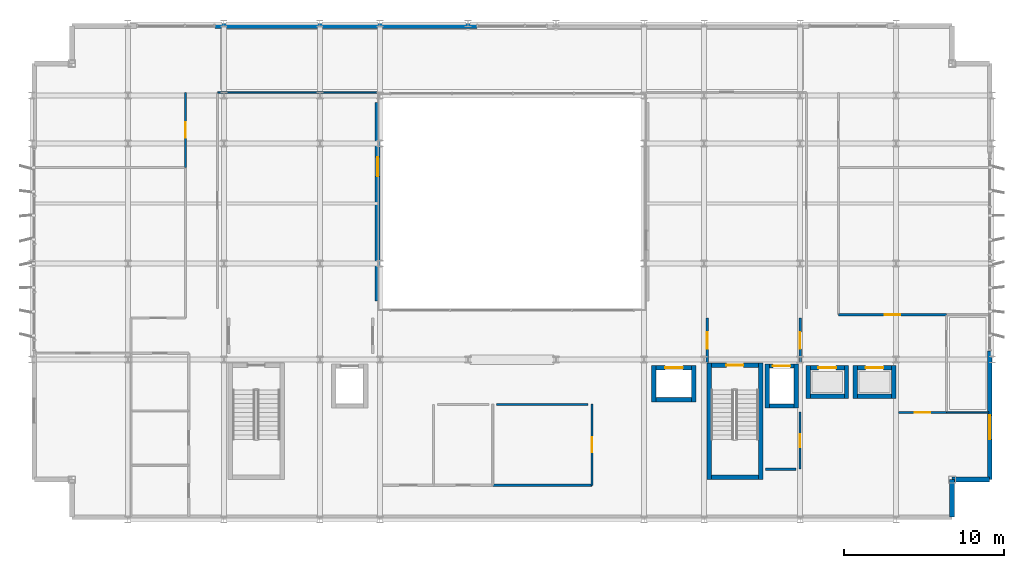
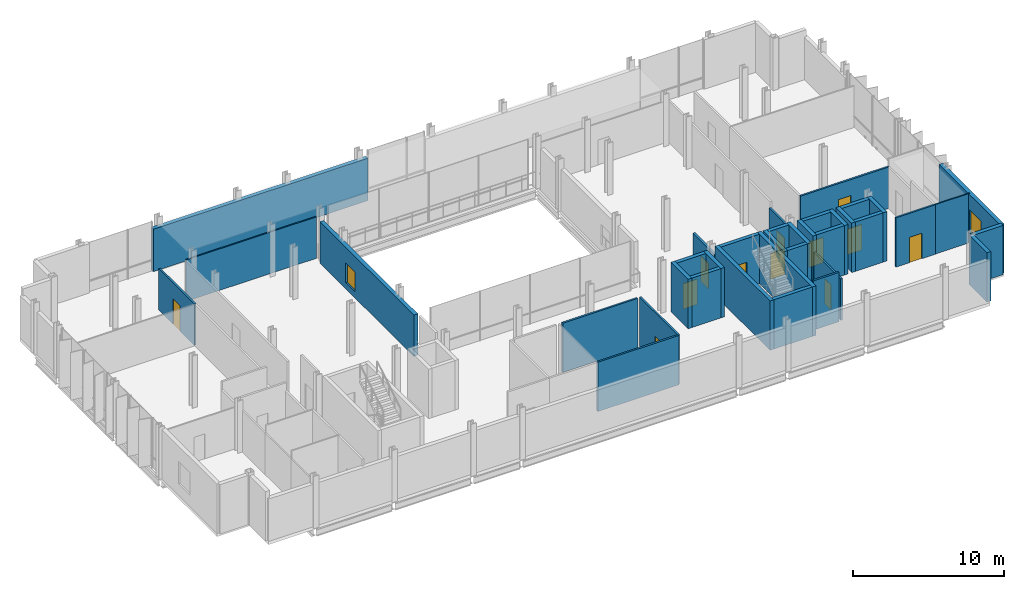
# One storey, part 25 of 32: 37 walls, 12 doors, 2 windows, 14 openings.
"""IFC4 building model written with IfcOpenShell, lengths in metres."""

from ifc_helpers import new_model, si_unit, direction, frame, frame_2d, origin, place, context, subcontext, project, spatial, rectangle, extrude, material, layer, layer_set, type_object, element, fill, save


model = new_model("IFC4")

# Units and contexts
model_context = context("Model", 3, precision=1e-05, world=origin(), true_north=direction((0.0, 1.0)))
body_context = subcontext(model_context, "Body", "Model", "MODEL_VIEW")
ifc_project = project(units=[si_unit("LENGTHUNIT", "METRE"), si_unit("AREAUNIT", "SQUARE_METRE"), si_unit("VOLUMEUNIT", "CUBIC_METRE"), si_unit("PLANEANGLEUNIT", "RADIAN"), si_unit("MASSUNIT", "GRAM", prefix="KILO")], contexts=[model_context])

# Site, building, storey
site_placement = place(None, origin())
site = spatial("IfcSite", under=ifc_project, at=site_placement, CompositionType="ELEMENT")
building_placement = place(site_placement, origin())
building = spatial("IfcBuilding", under=site, at=building_placement, Name="Brevholm Reach", CompositionType="ELEMENT")
storey_placement = place(building_placement, frame((0.0, 0.0, 134.5)))
storey = spatial("IfcBuildingStorey", under=building, at=storey_placement, Name="L40", CompositionType="ELEMENT", Elevation=134.5)

# Walls
ifc_material_1 = material(Name="Concrete C50/60", Category="concrete")
ifc_layer_1 = layer(ifc_material_1, 0.280029296875)
ifc_layer_set_1 = layer_set([ifc_layer_1], Name="Concrete C50/60")
wall_type_1 = type_object("IfcWallType", Name="WAL-COR-280", PredefinedType="SHEAR", material=ifc_layer_set_1)
for number, where, z_axis, x_axis, name in (
    (1, (42.31005859375, 2.5, 0.0), (0.0, 0.0, 1.0), (0.0, 1.0, 0.0), "L40 Escape Stair ST-2 Core Wall W"),
    (2, (45.5400390625, 2.5, 0.0), (0.0, 0.0, 1.0), (0.0, 1.0, 0.0), "L40 Escape Stair ST-2 Core Wall E"),
):
    element("IfcWall", number, at=place(storey_placement, frame(where, z_axis=z_axis, x_axis=x_axis)), inside=storey, type_object=wall_type_1, Name=name, PredefinedType="SHEAR", context=body_context, shape_type="SweptSolid", body=[
        extrude(rectangle(XDim=7.280029296875, YDim=0.280029296875, at=frame_2d((3.64013671875, 0.0))), origin(), (0.0, 0.0, 1.0), 3.97998046875),
    ])
wall_1_placement = place(storey_placement, frame((42.449951171875, 2.639892578125, 0.0), z_axis=(0.0, 0.0, 1.0), x_axis=(1.0, 0.0, 0.0)))
element("IfcWall", 3, at=wall_1_placement, inside=storey, type_object=wall_type_1, Name="L40 Escape Stair ST-2 Core Wall S", PredefinedType="SHEAR", context=body_context, shape_type="SweptSolid", body=[
    extrude(rectangle(XDim=2.949951171875, YDim=0.280029296875, at=frame_2d((1.47509765625, 0.0))), origin(), (0.0, 0.0, 1.0), 3.97998046875),
])

# Wall, opening, door
wall_2_placement = place(storey_placement, frame((45.39990234375, 9.639892578125, 0.0), z_axis=(0.0, 0.0, 1.0), x_axis=(-1.0, 0.0, 0.0)))
wall_2 = element("IfcWall", 4, at=wall_2_placement, inside=storey, type_object=wall_type_1, Name="L40 Escape Stair ST-2 Core Wall N", PredefinedType="SHEAR", context=body_context, shape_type="SweptSolid", body=[
    extrude(rectangle(XDim=2.949951171875, YDim=0.280029296875, at=frame_2d((1.47509765625, 0.0))), origin(), (0.0, 0.0, 1.0), 3.97998046875),
])
opening_1_placement = place(wall_2_placement, frame((0.949951171875, 0.0, 0.0)))
opening_1 = element("IfcOpeningElement", 5, at=opening_1_placement, cuts=wall_2, Name="Opening SD-ST-2", PredefinedType="OPENING", context=body_context, shape_type="SweptSolid", body=[
    extrude(rectangle(XDim=1.050048828125, YDim=2.06005859375, at=frame_2d((0.52490234375, 1.030029296875))), frame((0.0, 0.14990234375, 0.0), z_axis=(0.0, -1.0, 0.0), x_axis=(1.0, 0.0, 0.0)), (0.0, 0.0, 1.0), 0.300048828125),
])
ifc_material_2 = material(Name="Hardwood-Lipped Steel-Core Fire and Smoke Door", Category="steel")
door_type_1 = type_object("IfcDoorType", Name="DOR-INT-FD60S", OperationType="NOTDEFINED", PredefinedType="DOOR", material=ifc_material_2)
door_1_placement = place(opening_1_placement, origin())
door_1 = element("IfcDoor", 6, at=door_1_placement, inside=storey, type_object=door_type_1, Name="L40 Protected Stair ST-2 Lobby Door", OperationType="SINGLE_SWING_LEFT", OverallHeight=2.06005859375, OverallWidth=1.050048828125, PredefinedType="DOOR", context=body_context, shape_type="SweptSolid", body=[
    extrude(rectangle(XDim=1.050048828125, YDim=2.06005859375, at=frame_2d((0.52490234375, 1.030029296875))), frame((0.0, 0.02490234375, 0.0), z_axis=(0.0, -1.0, 0.0), x_axis=(1.0, 0.0, 0.0)), (0.0, 0.0, 1.0), 0.050048828125),
])
fill(opening_1, door_1)

# Walls
for number, where, z_axis, x_axis, name in (
    (7, (45.949951171875, 6.9599609375, 0.0), (0.0, 0.0, 1.0), (0.0, 1.0, 0.0), "L40 Lift FFL-2 Shaft Wall W"),
    (8, (47.75, 6.9599609375, 0.0), (0.0, 0.0, 1.0), (0.0, 1.0, 0.0), "L40 Lift FFL-2 Shaft Wall E"),
):
    element("IfcWall", number, at=place(storey_placement, frame(where, z_axis=z_axis, x_axis=x_axis)), inside=storey, type_object=wall_type_1, Name=name, PredefinedType="SHEAR", context=body_context, shape_type="SweptSolid", body=[
        extrude(rectangle(XDim=2.780029296875, YDim=0.280029296875, at=frame_2d((1.39013671875, 0.0))), origin(), (0.0, 0.0, 1.0), 3.97998046875),
    ])
wall_3_placement = place(storey_placement, frame((46.090087890625, 7.10009765625, 0.0), z_axis=(0.0, 0.0, 1.0), x_axis=(1.0, 0.0, 0.0)))
element("IfcWall", 9, at=wall_3_placement, inside=storey, type_object=wall_type_1, Name="L40 Lift FFL-2 Shaft Wall S", PredefinedType="SHEAR", context=body_context, shape_type="SweptSolid", body=[
    extrude(rectangle(XDim=1.52001953125, YDim=0.280029296875, at=frame_2d((0.760009765625, 0.0))), origin(), (0.0, 0.0, 1.0), 3.97998046875),
])

# Wall, opening, door
wall_4_placement = place(storey_placement, frame((46.090087890625, 9.60009765625, 0.0), z_axis=(0.0, 0.0, 1.0), x_axis=(1.0, 0.0, 0.0)))
wall_4 = element("IfcWall", 10, at=wall_4_placement, inside=storey, type_object=wall_type_1, Name="L40 Lift FFL-2 Shaft Wall N", PredefinedType="SHEAR", context=body_context, shape_type="SweptSolid", body=[
    extrude(rectangle(XDim=1.52001953125, YDim=0.280029296875, at=frame_2d((0.760009765625, 0.0))), origin(), (0.0, 0.0, 1.0), 3.97998046875),
])
opening_2_placement = place(wall_4_placement, frame((0.2099609375, 0.0, 0.0)))
opening_2 = element("IfcOpeningElement", 11, at=opening_2_placement, cuts=wall_4, Name="Opening LD-FFL-2", PredefinedType="OPENING", context=body_context, shape_type="SweptSolid", body=[
    extrude(rectangle(XDim=1.10009765625, YDim=2.06005859375, at=frame_2d((0.550048828125, 1.030029296875))), frame((0.0, 0.14990234375, 0.0), z_axis=(0.0, -1.0, 0.0), x_axis=(1.0, 0.0, 0.0)), (0.0, 0.0, 1.0), 0.300048828125),
])
ifc_material_3 = material(Name="Brushed Stainless Steel Fire-Rated Sliding Lift Door", Category="steel")
door_type_2 = type_object("IfcDoorType", Name="DOR-LFT-1100", OperationType="NOTDEFINED", PredefinedType="DOOR", material=ifc_material_3)
door_2_placement = place(opening_2_placement, origin())
door_2 = element("IfcDoor", 12, at=door_2_placement, inside=storey, type_object=door_type_2, Name="L40 Lift FFL-2 Sliding Landing Door", OperationType="SLIDING_TO_LEFT", OverallHeight=2.06005859375, OverallWidth=1.10009765625, PredefinedType="DOOR", context=body_context, shape_type="SweptSolid", body=[
    extrude(rectangle(XDim=1.10009765625, YDim=2.06005859375, at=frame_2d((0.550048828125, 1.030029296875))), frame((0.0, 0.02490234375, 0.0), z_axis=(0.0, -1.0, 0.0), x_axis=(1.0, 0.0, 0.0)), (0.0, 0.0, 1.0), 0.050048828125),
])
fill(opening_2, door_2)

# Walls
for number, where, z_axis, x_axis, name in (
    (13, (38.8701171875, 7.360107421875, 0.0), (0.0, 0.0, 1.0), (0.0, 1.0, 0.0), "L40 Lift PL-S1 Shaft Wall W"),
    (14, (41.3701171875, 7.360107421875, 0.0), (0.0, 0.0, 1.0), (0.0, 1.0, 0.0), "L40 Lift PL-S1 Shaft Wall E"),
):
    element("IfcWall", number, at=place(storey_placement, frame(where, z_axis=z_axis, x_axis=x_axis)), inside=storey, type_object=wall_type_1, Name=name, PredefinedType="SHEAR", context=body_context, shape_type="SweptSolid", body=[
        extrude(rectangle(XDim=2.27978515625, YDim=0.280029296875, at=frame_2d((1.139892578125, 0.0))), origin(), (0.0, 0.0, 1.0), 3.97998046875),
    ])
wall_5_placement = place(storey_placement, frame((39.010009765625, 7.5, 0.0), z_axis=(0.0, 0.0, 1.0), x_axis=(1.0, 0.0, 0.0)))
element("IfcWall", 15, at=wall_5_placement, inside=storey, type_object=wall_type_1, Name="L40 Lift PL-S1 Shaft Wall S", PredefinedType="SHEAR", context=body_context, shape_type="SweptSolid", body=[
    extrude(rectangle(XDim=2.219970703125, YDim=0.280029296875, at=frame_2d((1.10986328125, 0.0))), origin(), (0.0, 0.0, 1.0), 3.97998046875),
])

# Wall, opening, door
wall_6_placement = place(storey_placement, frame((39.010009765625, 9.5, 0.0), z_axis=(0.0, 0.0, 1.0), x_axis=(1.0, 0.0, 0.0)))
wall_6 = element("IfcWall", 16, at=wall_6_placement, inside=storey, type_object=wall_type_1, Name="L40 Lift PL-S1 Shaft Wall N", PredefinedType="SHEAR", context=body_context, shape_type="SweptSolid", body=[
    extrude(rectangle(XDim=2.219970703125, YDim=0.280029296875, at=frame_2d((1.10986328125, 0.0))), origin(), (0.0, 0.0, 1.0), 3.97998046875),
])
opening_3_placement = place(wall_6_placement, frame((0.56005859375, 0.0, 0.0)))
opening_3 = element("IfcOpeningElement", 17, at=opening_3_placement, cuts=wall_6, Name="Opening LD-PL-S1", PredefinedType="OPENING", context=body_context, shape_type="SweptSolid", body=[
    extrude(rectangle(XDim=1.10009765625, YDim=2.06005859375, at=frame_2d((0.550048828125, 1.030029296875))), frame((0.0, 0.14990234375, 0.0), z_axis=(0.0, -1.0, 0.0), x_axis=(1.0, 0.0, 0.0)), (0.0, 0.0, 1.0), 0.300048828125),
])
door_3_placement = place(opening_3_placement, origin())
door_3 = element("IfcDoor", 18, at=door_3_placement, inside=storey, type_object=door_type_2, Name="L40 Lift PL-S1 Sliding Landing Door", OperationType="SLIDING_TO_RIGHT", OverallHeight=2.06005859375, OverallWidth=1.10009765625, PredefinedType="DOOR", context=body_context, shape_type="SweptSolid", body=[
    extrude(rectangle(XDim=1.10009765625, YDim=2.06005859375, at=frame_2d((0.550048828125, 1.030029296875))), frame((0.0, 0.02490234375, 0.0), z_axis=(0.0, -1.0, 0.0), x_axis=(1.0, 0.0, 0.0)), (0.0, 0.0, 1.0), 0.050048828125),
])
fill(opening_3, door_3)

# Walls
for number, where, z_axis, x_axis, name in (
    (19, (48.5, 7.56005859375, 0.0), (0.0, 0.0, 1.0), (0.0, 1.0, 0.0), "L40 Lift PL-H1 Shaft Wall W"),
    (20, (50.89990234375, 7.56005859375, 0.0), (0.0, 0.0, 1.0), (0.0, 1.0, 0.0), "L40 Lift PL-H1 Shaft Wall E"),
):
    element("IfcWall", number, at=place(storey_placement, frame(where, z_axis=z_axis, x_axis=x_axis)), inside=storey, type_object=wall_type_1, Name=name, PredefinedType="SHEAR", context=body_context, shape_type="SweptSolid", body=[
        extrude(rectangle(XDim=2.079833984375, YDim=0.280029296875, at=frame_2d((1.0400390625, 0.0))), origin(), (0.0, 0.0, 1.0), 3.97998046875),
    ])
wall_7_placement = place(storey_placement, frame((48.639892578125, 7.699951171875, 0.0), z_axis=(0.0, 0.0, 1.0), x_axis=(1.0, 0.0, 0.0)))
element("IfcWall", 21, at=wall_7_placement, inside=storey, type_object=wall_type_1, Name="L40 Lift PL-H1 Shaft Wall S", PredefinedType="SHEAR", context=body_context, shape_type="SweptSolid", body=[
    extrude(rectangle(XDim=2.1201171875, YDim=0.280029296875, at=frame_2d((1.06005859375, 0.0))), origin(), (0.0, 0.0, 1.0), 3.97998046875),
])

# Wall, opening, door
wall_8_placement = place(storey_placement, frame((48.639892578125, 9.5, 0.0), z_axis=(0.0, 0.0, 1.0), x_axis=(1.0, 0.0, 0.0)))
wall_8 = element("IfcWall", 22, at=wall_8_placement, inside=storey, type_object=wall_type_1, Name="L40 Lift PL-H1 Shaft Wall N", PredefinedType="SHEAR", context=body_context, shape_type="SweptSolid", body=[
    extrude(rectangle(XDim=2.1201171875, YDim=0.280029296875, at=frame_2d((1.06005859375, 0.0))), origin(), (0.0, 0.0, 1.0), 3.97998046875),
])
opening_4_placement = place(wall_8_placement, frame((0.510009765625, 0.0, 0.0)))
opening_4 = element("IfcOpeningElement", 23, at=opening_4_placement, cuts=wall_8, Name="Opening LD-PL-H1", PredefinedType="OPENING", context=body_context, shape_type="SweptSolid", body=[
    extrude(rectangle(XDim=1.10009765625, YDim=2.06005859375, at=frame_2d((0.550048828125, 1.030029296875))), frame((0.0, 0.14990234375, 0.0), z_axis=(0.0, -1.0, 0.0), x_axis=(1.0, 0.0, 0.0)), (0.0, 0.0, 1.0), 0.300048828125),
])
door_4_placement = place(opening_4_placement, origin())
door_4 = element("IfcDoor", 24, at=door_4_placement, inside=storey, type_object=door_type_2, Name="L40 Lift PL-H1 Sliding Landing Door", OperationType="SLIDING_TO_LEFT", OverallHeight=2.06005859375, OverallWidth=1.10009765625, PredefinedType="DOOR", context=body_context, shape_type="SweptSolid", body=[
    extrude(rectangle(XDim=1.10009765625, YDim=2.06005859375, at=frame_2d((0.550048828125, 1.030029296875))), frame((0.0, 0.02490234375, 0.0), z_axis=(0.0, -1.0, 0.0), x_axis=(1.0, 0.0, 0.0)), (0.0, 0.0, 1.0), 0.050048828125),
])
fill(opening_4, door_4)

# Walls
for number, where, z_axis, x_axis, name in (
    (25, (51.449951171875, 7.56005859375, 0.0), (0.0, 0.0, 1.0), (0.0, 1.0, 0.0), "L40 Lift PL-H2 Shaft Wall W"),
    (26, (53.85009765625, 7.56005859375, 0.0), (0.0, 0.0, 1.0), (0.0, 1.0, 0.0), "L40 Lift PL-H2 Shaft Wall E"),
):
    element("IfcWall", number, at=place(storey_placement, frame(where, z_axis=z_axis, x_axis=x_axis)), inside=storey, type_object=wall_type_1, Name=name, PredefinedType="SHEAR", context=body_context, shape_type="SweptSolid", body=[
        extrude(rectangle(XDim=2.079833984375, YDim=0.280029296875, at=frame_2d((1.0400390625, 0.0))), origin(), (0.0, 0.0, 1.0), 3.97998046875),
    ])
wall_9_placement = place(storey_placement, frame((51.590087890625, 7.699951171875, 0.0), z_axis=(0.0, 0.0, 1.0), x_axis=(1.0, 0.0, 0.0)))
element("IfcWall", 27, at=wall_9_placement, inside=storey, type_object=wall_type_1, Name="L40 Lift PL-H2 Shaft Wall S", PredefinedType="SHEAR", context=body_context, shape_type="SweptSolid", body=[
    extrude(rectangle(XDim=2.119873046875, YDim=0.280029296875, at=frame_2d((1.06005859375, 0.0))), origin(), (0.0, 0.0, 1.0), 3.97998046875),
])

# Wall, opening, door
wall_10_placement = place(storey_placement, frame((51.590087890625, 9.5, 0.0), z_axis=(0.0, 0.0, 1.0), x_axis=(1.0, 0.0, 0.0)))
wall_10 = element("IfcWall", 28, at=wall_10_placement, inside=storey, type_object=wall_type_1, Name="L40 Lift PL-H2 Shaft Wall N", PredefinedType="SHEAR", context=body_context, shape_type="SweptSolid", body=[
    extrude(rectangle(XDim=2.119873046875, YDim=0.280029296875, at=frame_2d((1.06005859375, 0.0))), origin(), (0.0, 0.0, 1.0), 3.97998046875),
])
opening_5_placement = place(wall_10_placement, frame((0.510009765625, 0.0, 0.0)))
opening_5 = element("IfcOpeningElement", 29, at=opening_5_placement, cuts=wall_10, Name="Opening LD-PL-H2", PredefinedType="OPENING", context=body_context, shape_type="SweptSolid", body=[
    extrude(rectangle(XDim=1.10009765625, YDim=2.06005859375, at=frame_2d((0.550048828125, 1.030029296875))), frame((0.0, 0.14990234375, 0.0), z_axis=(0.0, -1.0, 0.0), x_axis=(1.0, 0.0, 0.0)), (0.0, 0.0, 1.0), 0.300048828125),
])
door_5_placement = place(opening_5_placement, origin())
door_5 = element("IfcDoor", 30, at=door_5_placement, inside=storey, type_object=door_type_2, Name="L40 Lift PL-H2 Sliding Landing Door", OperationType="SLIDING_TO_RIGHT", OverallHeight=2.06005859375, OverallWidth=1.10009765625, PredefinedType="DOOR", context=body_context, shape_type="SweptSolid", body=[
    extrude(rectangle(XDim=1.10009765625, YDim=2.06005859375, at=frame_2d((0.550048828125, 1.030029296875))), frame((0.0, 0.02490234375, 0.0), z_axis=(0.0, -1.0, 0.0), x_axis=(1.0, 0.0, 0.0)), (0.0, 0.0, 1.0), 0.050048828125),
])
fill(opening_5, door_5)

# Walls
ifc_material_4 = material(Name="Concrete C40/50", Category="concrete")
ifc_layer_2 = layer(ifc_material_4, 0.300048828125)
ifc_layer_set_2 = layer_set([ifc_layer_2], Name="Concrete C40/50")
wall_type_2 = type_object("IfcWallType", Name="WAL-EXT-300", PredefinedType="STANDARD", material=ifc_layer_set_2)
for number, where, z_axis, x_axis, name in (
    (31, (57.5, 0.14990234375, 0.0), (0.0, 0.0, 1.0), (0.0, 1.0, 0.0), "L40 Facade Wall WAL-L40-CSE1"),
    (32, (57.5, 2.5, 0.0), (0.0, 0.0, 1.0), (1.0, 0.0, 0.0), "L40 Facade Wall WAL-L40-CSE2"),
):
    element("IfcWall", number, at=place(storey_placement, frame(where, z_axis=z_axis, x_axis=x_axis)), inside=storey, type_object=wall_type_2, Name=name, PredefinedType="STANDARD", context=body_context, shape_type="SweptSolid", body=[
        extrude(rectangle(XDim=2.35009765625, YDim=0.300048828125, at=frame_2d((1.175048828125, 0.0))), origin(), (0.0, 0.0, 1.0), 3.97998046875),
    ])

# Wall, opening, window
wall_11_placement = place(storey_placement, frame((59.85009765625, 2.5, 0.0), z_axis=(0.0, 0.0, 1.0), x_axis=(0.0, 1.0, 0.0)))
wall_11 = element("IfcWall", 33, at=wall_11_placement, inside=storey, type_object=wall_type_2, Name="L40 Facade Wall WAL-L40-E-S", PredefinedType="STANDARD", context=body_context, shape_type="SweptSolid", body=[
    extrude(rectangle(XDim=8.050048828125, YDim=0.300048828125, at=frame_2d((4.02490234375, 0.0))), origin(), (0.0, 0.0, 1.0), 3.97998046875),
])
opening_6_placement = place(wall_11_placement, frame((2.52001953125, 0.0, 0.949951171875)))
opening_6 = element("IfcOpeningElement", 34, at=opening_6_placement, cuts=wall_11, Name="Opening WN-05", PredefinedType="OPENING", context=body_context, shape_type="SweptSolid", body=[
    extrude(rectangle(XDim=1.5, YDim=1.800048828125, at=frame_2d((0.75, 0.89990234375))), frame((0.0, 0.159912109375, 0.0), z_axis=(0.0, -1.0, 0.0), x_axis=(1.0, 0.0, 0.0)), (0.0, 0.0, 1.0), 0.320068359375),
])
ifc_material_5 = material(Name="Dark Anodised Aluminium and Solar-Control IGU Glass", Category="aluminium")
window_type_1 = type_object("IfcWindowType", Name="WIN-RES-1500", PartitioningType="SINGLE_PANEL", PredefinedType="WINDOW", material=ifc_material_5)
window_1_placement = place(opening_6_placement, origin())
window_1 = element("IfcWindow", 35, at=window_1_placement, inside=storey, type_object=window_type_1, Name="L40 Window WIN-L40-ES-1", OverallHeight=1.800048828125, OverallWidth=1.5, PartitioningType="SINGLE_PANEL", PredefinedType="WINDOW", context=body_context, shape_type="SweptSolid", body=[
    extrude(rectangle(XDim=1.5, YDim=1.800048828125, at=frame_2d((0.75, 0.89990234375))), frame((0.0, 0.030029296875, 0.0), z_axis=(0.0, -1.0, 0.0), x_axis=(1.0, 0.0, 0.0)), (0.0, 0.0, 1.0), 0.06005859375),
])
fill(opening_6, window_1)

# Wall
wall_12_placement = place(storey_placement, frame((11.449951171875, 30.85009765625, 0.0), z_axis=(0.0, 0.0, 1.0), x_axis=(1.0, 0.0, 0.0)))
element("IfcWall", 36, at=wall_12_placement, inside=storey, type_object=wall_type_2, Name="L40 Facade Wall WAL-L40-NP-WL", PredefinedType="STANDARD", context=body_context, shape_type="SweptSolid", body=[
    extrude(rectangle(XDim=16.35009765625, YDim=0.300048828125, at=frame_2d((8.175048828125, 0.0))), origin(), (0.0, 0.0, 1.0), 3.421875),
])

# Wall, opening, window
wall_13_placement = place(storey_placement, frame((21.60009765625, 26.050048828125, 0.0), z_axis=(0.0, 0.0, 1.0), x_axis=(0.0, -1.0, 0.0)))
wall_13 = element("IfcWall", 37, at=wall_13_placement, inside=storey, type_object=wall_type_2, Name="L40 Facade Wall WAL-L40-AT-W", PredefinedType="STANDARD", context=body_context, shape_type="SweptSolid", body=[
    extrude(rectangle(XDim=12.400146484375, YDim=0.300048828125, at=frame_2d((6.2001953125, 0.0))), origin(), (0.0, 0.0, 1.0), 3.3427734375),
])
opening_7_placement = place(wall_13_placement, frame((3.39990234375, 0.0, 0.5)))
opening_7 = element("IfcOpeningElement", 38, at=opening_7_placement, cuts=wall_13, Name="Opening WN-08", PredefinedType="OPENING", context=body_context, shape_type="SweptSolid", body=[
    extrude(rectangle(XDim=1.199951171875, YDim=1.60009765625, at=frame_2d((0.60009765625, 0.800048828125))), frame((0.0, 0.159912109375, 0.0), z_axis=(0.0, -1.0, 0.0), x_axis=(1.0, 0.0, 0.0)), (0.0, 0.0, 1.0), 0.320068359375),
])
ifc_material_6 = material(Name="Dark Anodised Aluminium and Solar-Control IGU Glass", Category="aluminium")
window_type_2 = type_object("IfcWindowType", Name="WIN-RES-1200", PartitioningType="SINGLE_PANEL", PredefinedType="WINDOW", material=ifc_material_6)
window_2_placement = place(opening_7_placement, origin())
window_2 = element("IfcWindow", 39, at=window_2_placement, inside=storey, type_object=window_type_2, Name="L40 Window WIN-L40-AT-W1", OverallHeight=1.60009765625, OverallWidth=1.199951171875, PartitioningType="SINGLE_PANEL", PredefinedType="WINDOW", context=body_context, shape_type="SweptSolid", body=[
    extrude(rectangle(XDim=1.199951171875, YDim=1.60009765625, at=frame_2d((0.60009765625, 0.800048828125))), frame((0.0, 0.030029296875, 0.0), z_axis=(0.0, -1.0, 0.0), x_axis=(1.0, 0.0, 0.0)), (0.0, 0.0, 1.0), 0.06005859375),
])
fill(opening_7, window_2)

# Walls
ifc_material_7 = material(Name="Moisture-Resistant Acoustic Gypsum Stud Partition 100 mm", Category="gypsum")
ifc_layer_3 = layer(ifc_material_7, 0.10009765625)
ifc_layer_set_3 = layer_set([ifc_layer_3], Name="Moisture-Resistant Acoustic Gypsum Stud Partition 100 mm")
wall_type_3 = type_object("IfcWallType", Name="WAL-PRT-100", PredefinedType="PARTITIONING", material=ifc_layer_set_3)
wall_14_placement = place(storey_placement, frame((57.14990234375, 6.699951171875, 0.0), z_axis=(0.0, 0.0, 1.0), x_axis=(1.0, 0.0, 0.0)))
element("IfcWall", 40, at=wall_14_placement, inside=storey, type_object=wall_type_3, Name="L40 Internal Partition 011", PredefinedType="PARTITIONING", context=body_context, shape_type="SweptSolid", body=[
    extrude(rectangle(XDim=2.650146484375, YDim=0.10009765625, at=frame_2d((1.3251953125, 0.0))), origin(), (0.0, 0.0, 1.0), 3.97998046875),
])
wall_15_placement = place(storey_placement, frame((11.60400390625, 26.699951171875, 0.0), z_axis=(0.0, 0.0, 1.0), x_axis=(1.0, 0.0, 0.0)))
element("IfcWall", 41, at=wall_15_placement, inside=storey, type_object=wall_type_3, Name="L40 Internal Partition 036", PredefinedType="PARTITIONING", context=body_context, shape_type="SweptSolid", body=[
    extrude(rectangle(XDim=9.946044921875, YDim=0.10009765625, at=frame_2d((4.97314453125, 0.0))), origin(), (0.0, 0.0, 1.0), 3.3427734375),
])

# Wall, opening, door
ifc_material_8 = material(Name="Twin-Stud Acoustic Fire-Rated Gypsum Partition 140 mm", Category="gypsum")
ifc_layer_4 = layer(ifc_material_8, 0.139892578125)
ifc_layer_set_4 = layer_set([ifc_layer_4], Name="Twin-Stud Acoustic Fire-Rated Gypsum Partition 140 mm")
wall_type_4 = type_object("IfcWallType", Name="WAL-PRT-140", PredefinedType="PARTITIONING", material=ifc_layer_set_4)
wall_16_placement = place(storey_placement, frame((35.0, 2.142578125, 0.0), z_axis=(0.0, 0.0, 1.0), x_axis=(0.0, 1.0, 0.0)))
wall_16 = element("IfcWall", 42, at=wall_16_placement, inside=storey, type_object=wall_type_4, Name="L40 Internal Partition 001", PredefinedType="PARTITIONING", context=body_context, shape_type="SweptSolid", body=[
    extrude(rectangle(XDim=5.068603515625, YDim=0.139892578125, at=frame_2d((2.5341796875, 0.0))), origin(), (0.0, 0.0, 1.0), 3.97998046875),
])
opening_8_placement = place(wall_16_placement, frame((2.059326171875, 0.0, 0.0)))
opening_8 = element("IfcOpeningElement", 43, at=opening_8_placement, cuts=wall_16, Name="Opening ID-30", PredefinedType="OPENING", context=body_context, shape_type="SweptSolid", body=[
    extrude(rectangle(XDim=0.949951171875, YDim=2.050048828125, at=frame_2d((0.47509765625, 1.02490234375))), frame((0.0, 0.079833984375, 0.0), z_axis=(0.0, -1.0, 0.0), x_axis=(1.0, 0.0, 0.0)), (0.0, 0.0, 1.0), 0.159912109375),
])
ifc_material_9 = material(Name="European Oak Veneered Solid-Core Fire Entrance Door", Category="timber")
door_type_3 = type_object("IfcDoorType", Name="DOR-FLT-FD30S", OperationType="NOTDEFINED", PredefinedType="DOOR", material=ifc_material_9)
door_6_placement = place(opening_8_placement, origin())
door_6 = element("IfcDoor", 44, at=door_6_placement, inside=storey, type_object=door_type_3, Name="L40 Internal Door 001", OperationType="SINGLE_SWING_LEFT", OverallHeight=2.050048828125, OverallWidth=0.949951171875, PredefinedType="DOOR", context=body_context, shape_type="SweptSolid", body=[
    extrude(rectangle(XDim=0.949951171875, YDim=2.050048828125, at=frame_2d((0.47509765625, 1.02490234375))), frame((0.0, 0.02490234375, 0.0), z_axis=(0.0, -1.0, 0.0), x_axis=(1.0, 0.0, 0.0)), (0.0, 0.0, 1.0), 0.050048828125),
])
fill(opening_8, door_6)

# Wall
wall_17_placement = place(storey_placement, frame((28.792724609375, 2.14990234375, 0.0), z_axis=(0.0, 0.0, 1.0), x_axis=(1.0, 0.0, 0.0)))
element("IfcWall", 45, at=wall_17_placement, inside=storey, type_object=wall_type_4, Name="L40 Internal Partition 004", PredefinedType="PARTITIONING", context=body_context, shape_type="SweptSolid", body=[
    extrude(rectangle(XDim=6.203369140625, YDim=0.139892578125, at=frame_2d((3.1015625, 0.0))), origin(), (0.0, 0.0, 1.0), 3.97998046875),
])

# Wall, opening, door
wall_18_placement = place(storey_placement, frame((48.0, 3.14990234375, 0.0), z_axis=(0.0, 0.0, 1.0), x_axis=(0.0, 1.0, 0.0)))
wall_18 = element("IfcWall", 46, at=wall_18_placement, inside=storey, type_object=wall_type_4, Name="L40 Internal Partition 007", PredefinedType="PARTITIONING", context=body_context, shape_type="SweptSolid", body=[
    extrude(rectangle(XDim=3.561279296875, YDim=0.139892578125, at=frame_2d((1.78076171875, 0.0))), origin(), (0.0, 0.0, 1.0), 3.3427734375),
])
opening_9_placement = place(wall_18_placement, frame((1.37060546875, 0.0, 0.0)))
opening_9 = element("IfcOpeningElement", 47, at=opening_9_placement, cuts=wall_18, Name="Opening ID-02", PredefinedType="OPENING", context=body_context, shape_type="SweptSolid", body=[
    extrude(rectangle(XDim=0.820068359375, YDim=2.02001953125, at=frame_2d((0.41015625, 1.010009765625))), frame((0.0, 0.079833984375, 0.0), z_axis=(0.0, -1.0, 0.0), x_axis=(1.0, 0.0, 0.0)), (0.0, 0.0, 1.0), 0.159912109375),
])
ifc_material_10 = material(Name="Moisture-Resistant Painted Timber Fire-Rated Riser and Service Door", Category="wood")
door_type_4 = type_object("IfcDoorType", Name="DOR-SRV-820", OperationType="NOTDEFINED", PredefinedType="DOOR", material=ifc_material_10)
door_7_placement = place(opening_9_placement, origin())
door_7 = element("IfcDoor", 48, at=door_7_placement, inside=storey, type_object=door_type_4, Name="L40 Access Door 019", OperationType="SINGLE_SWING_LEFT", OverallHeight=2.02001953125, OverallWidth=0.820068359375, PredefinedType="DOOR", context=body_context, shape_type="SweptSolid", body=[
    extrude(rectangle(XDim=0.820068359375, YDim=2.02001953125, at=frame_2d((0.41015625, 1.010009765625))), frame((0.0, 0.02490234375, 0.0), z_axis=(0.0, -1.0, 0.0), x_axis=(1.0, 0.0, 0.0)), (0.0, 0.0, 1.0), 0.050048828125),
])
fill(opening_9, door_7)

wall_19_placement = place(storey_placement, frame((50.392578125, 12.800048828125, 0.0), z_axis=(0.0, 0.0, 1.0), x_axis=(1.0, 0.0, 0.0)))
wall_19 = element("IfcWall", 49, at=wall_19_placement, inside=storey, type_object=wall_type_4, Name="L40 Internal Partition 016", PredefinedType="PARTITIONING", context=body_context, shape_type="SweptSolid", body=[
    extrude(rectangle(XDim=6.75341796875, YDim=0.139892578125, at=frame_2d((3.376708984375, 0.0))), origin(), (0.0, 0.0, 1.0), 3.3427734375),
])
opening_10_placement = place(wall_19_placement, frame((2.901611328125, 0.0, 0.0)))
opening_10 = element("IfcOpeningElement", 50, at=opening_10_placement, cuts=wall_19, Name="Opening ID-30", PredefinedType="OPENING", context=body_context, shape_type="SweptSolid", body=[
    extrude(rectangle(XDim=0.949951171875, YDim=2.050048828125, at=frame_2d((0.47509765625, 1.02490234375))), frame((0.0, 0.079833984375, 0.0), z_axis=(0.0, -1.0, 0.0), x_axis=(1.0, 0.0, 0.0)), (0.0, 0.0, 1.0), 0.159912109375),
])
door_8_placement = place(opening_10_placement, origin())
door_8 = element("IfcDoor", 51, at=door_8_placement, inside=storey, type_object=door_type_3, Name="L40 Internal Door 009", OperationType="SINGLE_SWING_LEFT", OverallHeight=2.050048828125, OverallWidth=0.949951171875, PredefinedType="DOOR", context=body_context, shape_type="SweptSolid", body=[
    extrude(rectangle(XDim=0.949951171875, YDim=2.050048828125, at=frame_2d((0.47509765625, 1.02490234375))), frame((0.0, 0.02490234375, 0.0), z_axis=(0.0, -1.0, 0.0), x_axis=(1.0, 0.0, 0.0)), (0.0, 0.0, 1.0), 0.050048828125),
])
fill(opening_10, door_8)

wall_20_placement = place(storey_placement, frame((9.60009765625, 21.99267578125, 0.0), z_axis=(0.0, 0.0, 1.0), x_axis=(0.0, 1.0, 0.0)))
wall_20 = element("IfcWall", 52, at=wall_20_placement, inside=storey, type_object=wall_type_4, Name="L40 Internal Partition 021", PredefinedType="PARTITIONING", context=body_context, shape_type="SweptSolid", body=[
    extrude(rectangle(XDim=4.707275390625, YDim=0.139892578125, at=frame_2d((2.353515625, 0.0))), origin(), (0.0, 0.0, 1.0), 3.3427734375),
])
opening_11_placement = place(wall_20_placement, frame((1.878662109375, 0.0, 0.0)))
opening_11 = element("IfcOpeningElement", 53, at=opening_11_placement, cuts=wall_20, Name="Opening ID-30", PredefinedType="OPENING", context=body_context, shape_type="SweptSolid", body=[
    extrude(rectangle(XDim=0.949951171875, YDim=2.050048828125, at=frame_2d((0.47509765625, 1.02490234375))), frame((0.0, 0.079833984375, 0.0), z_axis=(0.0, -1.0, 0.0), x_axis=(1.0, 0.0, 0.0)), (0.0, 0.0, 1.0), 0.159912109375),
])
door_9_placement = place(opening_11_placement, origin())
door_9 = element("IfcDoor", 54, at=door_9_placement, inside=storey, type_object=door_type_3, Name="L40 Internal Door 012", OperationType="SINGLE_SWING_RIGHT", OverallHeight=2.050048828125, OverallWidth=0.949951171875, PredefinedType="DOOR", context=body_context, shape_type="SweptSolid", body=[
    extrude(rectangle(XDim=0.949951171875, YDim=2.050048828125, at=frame_2d((0.47509765625, 1.02490234375))), frame((0.0, 0.02490234375, 0.0), z_axis=(0.0, -1.0, 0.0), x_axis=(1.0, 0.0, 0.0)), (0.0, 0.0, 1.0), 0.050048828125),
])
fill(opening_11, door_9)

wall_21_placement = place(storey_placement, frame((54.14990234375, 6.699951171875, 0.0), z_axis=(0.0, 0.0, 1.0), x_axis=(1.0, 0.0, 0.0)))
wall_21 = element("IfcWall", 55, at=wall_21_placement, inside=storey, type_object=wall_type_4, Name="L40 Internal Partition 039", PredefinedType="PARTITIONING", context=body_context, shape_type="SweptSolid", body=[
    extrude(rectangle(XDim=2.99609375, YDim=0.139892578125, at=frame_2d((1.498046875, 0.0))), origin(), (0.0, 0.0, 1.0), 3.97998046875),
])
opening_12_placement = place(wall_21_placement, frame((1.02294921875, 0.0, 0.0)))
opening_12 = element("IfcOpeningElement", 56, at=opening_12_placement, cuts=wall_21, Name="Opening ID-30", PredefinedType="OPENING", context=body_context, shape_type="SweptSolid", body=[
    extrude(rectangle(XDim=0.949951171875, YDim=2.050048828125, at=frame_2d((0.47509765625, 1.02490234375))), frame((0.0, 0.079833984375, 0.0), z_axis=(0.0, -1.0, 0.0), x_axis=(1.0, 0.0, 0.0)), (0.0, 0.0, 1.0), 0.159912109375),
])
door_10_placement = place(opening_12_placement, origin())
door_10 = element("IfcDoor", 57, at=door_10_placement, inside=storey, type_object=door_type_3, Name="L40 Internal Door 018", OperationType="SINGLE_SWING_RIGHT", OverallHeight=2.050048828125, OverallWidth=0.949951171875, PredefinedType="DOOR", context=body_context, shape_type="SweptSolid", body=[
    extrude(rectangle(XDim=0.949951171875, YDim=2.050048828125, at=frame_2d((0.47509765625, 1.02490234375))), frame((0.0, 0.02490234375, 0.0), z_axis=(0.0, -1.0, 0.0), x_axis=(1.0, 0.0, 0.0)), (0.0, 0.0, 1.0), 0.050048828125),
])
fill(opening_12, door_10)

# Walls
wall_22_placement = place(storey_placement, frame((29.0400390625, 7.199951171875, 0.0), z_axis=(0.0, 0.0, 1.0), x_axis=(1.0, 0.0, 0.0)))
element("IfcWall", 58, at=wall_22_placement, inside=storey, type_object=wall_type_4, Name="L40 Internal Partition 041", PredefinedType="PARTITIONING", context=body_context, shape_type="SweptSolid", body=[
    extrude(rectangle(XDim=5.719970703125, YDim=0.139892578125, at=frame_2d((2.85986328125, 0.0))), origin(), (0.0, 0.0, 1.0), 3.97998046875),
])
wall_23_placement = place(storey_placement, frame((45.830078125, 3.14990234375, 0.0), z_axis=(0.0, 0.0, 1.0), x_axis=(1.0, 0.0, 0.0)))
element("IfcWall", 59, at=wall_23_placement, inside=storey, type_object=wall_type_4, Name="L40 Internal Partition 042", PredefinedType="PARTITIONING", context=body_context, shape_type="SweptSolid", body=[
    extrude(rectangle(XDim=1.929931640625, YDim=0.139892578125, at=frame_2d((0.96484375, 0.0))), origin(), (0.0, 0.0, 1.0), 3.97998046875),
])

# Wall, opening, door
ifc_material_11 = material(Name="Twin-Frame Fire-Rated Gypsum Board and Mineral Wool 160 mm", Category="gypsum")
ifc_layer_5 = layer(ifc_material_11, 0.159912109375)
ifc_layer_set_5 = layer_set([ifc_layer_5], Name="Twin-Frame Fire-Rated Gypsum Board and Mineral Wool 160 mm")
wall_type_5 = type_object("IfcWallType", Name="WAL-PRT-160", PredefinedType="PARTITIONING", material=ifc_layer_set_5)
wall_24_placement = place(storey_placement, frame((42.199951171875, 9.7900390625, 0.0), z_axis=(0.0, 0.0, 1.0), x_axis=(0.0, 1.0, 0.0)))
wall_24 = element("IfcWall", 60, at=wall_24_placement, inside=storey, type_object=wall_type_5, Name="L40 Internal Partition 014", PredefinedType="PARTITIONING", context=body_context, shape_type="SweptSolid", body=[
    extrude(rectangle(XDim=2.81005859375, YDim=0.159912109375, at=frame_2d((1.405029296875, 0.0))), origin(), (0.0, 0.0, 1.0), 3.3427734375),
])
opening_13_placement = place(wall_24_placement, frame((0.8798828125, 0.0, 0.0)))
opening_13 = element("IfcOpeningElement", 61, at=opening_13_placement, cuts=wall_24, Name="Opening FD-01", PredefinedType="OPENING", context=body_context, shape_type="SweptSolid", body=[
    extrude(rectangle(XDim=1.050048828125, YDim=2.06005859375, at=frame_2d((0.52490234375, 1.030029296875))), frame((0.0, 0.08984375, 0.0), z_axis=(0.0, -1.0, 0.0), x_axis=(1.0, 0.0, 0.0)), (0.0, 0.0, 1.0), 0.179931640625),
])
door_11_placement = place(opening_13_placement, origin())
door_11 = element("IfcDoor", 62, at=door_11_placement, inside=storey, type_object=door_type_1, Name="L40 Internal Door 007", OperationType="SINGLE_SWING_LEFT", OverallHeight=2.06005859375, OverallWidth=1.050048828125, PredefinedType="DOOR", context=body_context, shape_type="SweptSolid", body=[
    extrude(rectangle(XDim=1.050048828125, YDim=2.06005859375, at=frame_2d((0.52490234375, 1.030029296875))), frame((0.0, 0.02490234375, 0.0), z_axis=(0.0, -1.0, 0.0), x_axis=(1.0, 0.0, 0.0)), (0.0, 0.0, 1.0), 0.050048828125),
])
fill(opening_13, door_11)

wall_25_placement = place(storey_placement, frame((48.0, 9.788818359375, 0.0), z_axis=(0.0, 0.0, 1.0), x_axis=(0.0, 1.0, 0.0)))
wall_25 = element("IfcWall", 63, at=wall_25_placement, inside=storey, type_object=wall_type_5, Name="L40 Internal Partition 015", PredefinedType="PARTITIONING", context=body_context, shape_type="SweptSolid", body=[
    extrude(rectangle(XDim=2.811279296875, YDim=0.159912109375, at=frame_2d((1.40576171875, 0.0))), origin(), (0.0, 0.0, 1.0), 3.3427734375),
])
opening_14_placement = place(wall_25_placement, frame((0.880615234375, 0.0, 0.0)))
opening_14 = element("IfcOpeningElement", 64, at=opening_14_placement, cuts=wall_25, Name="Opening FD-01", PredefinedType="OPENING", context=body_context, shape_type="SweptSolid", body=[
    extrude(rectangle(XDim=1.050048828125, YDim=2.06005859375, at=frame_2d((0.52490234375, 1.030029296875))), frame((0.0, 0.08984375, 0.0), z_axis=(0.0, -1.0, 0.0), x_axis=(1.0, 0.0, 0.0)), (0.0, 0.0, 1.0), 0.179931640625),
])
door_12_placement = place(opening_14_placement, origin())
door_12 = element("IfcDoor", 65, at=door_12_placement, inside=storey, type_object=door_type_1, Name="L40 Internal Door 008", OperationType="SINGLE_SWING_RIGHT", OverallHeight=2.06005859375, OverallWidth=1.050048828125, PredefinedType="DOOR", context=body_context, shape_type="SweptSolid", body=[
    extrude(rectangle(XDim=1.050048828125, YDim=2.06005859375, at=frame_2d((0.52490234375, 1.030029296875))), frame((0.0, 0.02490234375, 0.0), z_axis=(0.0, -1.0, 0.0), x_axis=(1.0, 0.0, 0.0)), (0.0, 0.0, 1.0), 0.050048828125),
])
fill(opening_14, door_12)

save(model, "model.ifc")
